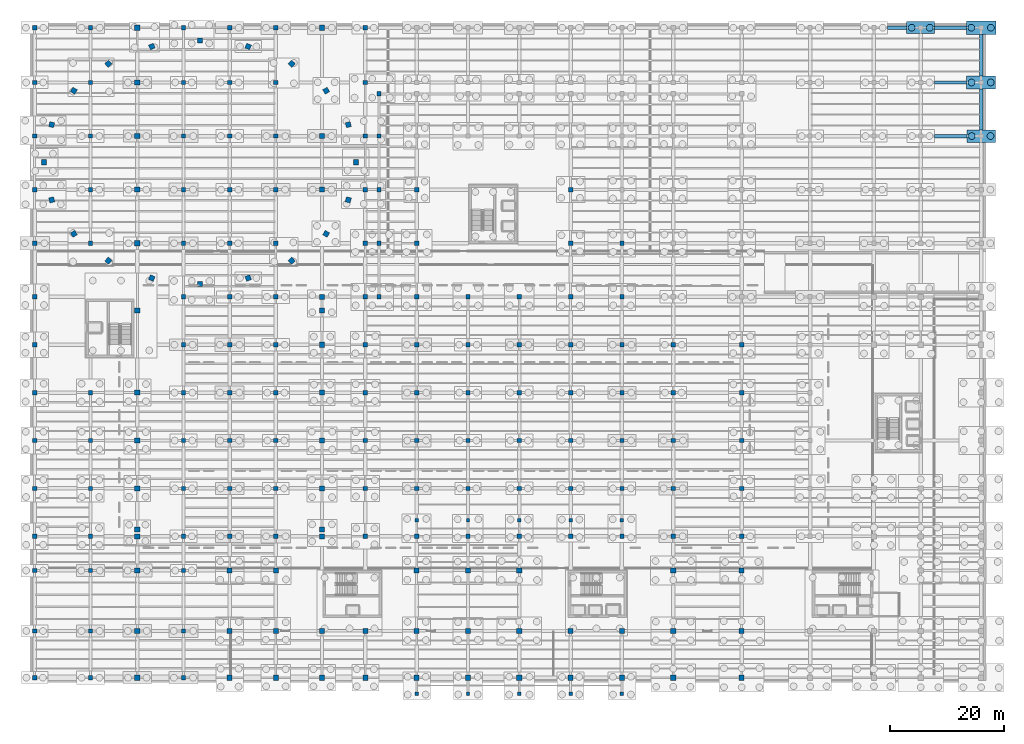
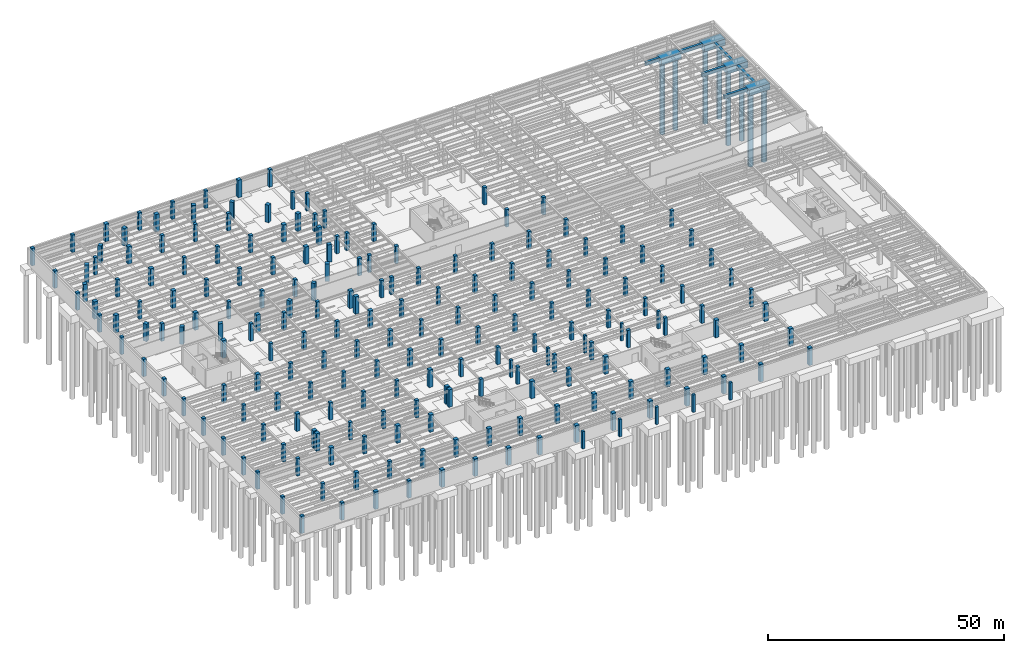
# One storey, part 17 of 49: 207 columns, 10 footings, 8 piles.
"""IFC4 building model written with IfcOpenShell, lengths in metres."""

from ifc_helpers import new_model, si_unit, direction, frame, origin, origin_2d, place, context, subcontext, project, spatial, rectangle, circle, extrude, material, material_profile, profile_set, type_object, element, save


model = new_model("IFC4")

# Units and contexts
model_context = context("Model", 3, precision=1e-05, world=origin(), true_north=direction((0.0, 1.0)))
body_context = subcontext(model_context, "Body", "Model", "MODEL_VIEW")
ifc_project = project(units=[si_unit("LENGTHUNIT", "METRE"), si_unit("AREAUNIT", "SQUARE_METRE"), si_unit("VOLUMEUNIT", "CUBIC_METRE"), si_unit("PLANEANGLEUNIT", "RADIAN"), si_unit("MASSUNIT", "GRAM", prefix="KILO")], contexts=[model_context])

# Site, building, storey
site_placement = place(None, origin())
site = spatial("IfcSite", under=ifc_project, at=site_placement, CompositionType="ELEMENT")
building_placement = place(site_placement, origin())
building = spatial("IfcBuilding", under=site, at=building_placement, Name="Sollismere Congress Hotel", CompositionType="ELEMENT")
storey_placement = place(building_placement, frame((0.0, 0.0, -4.5)))
storey = spatial("IfcBuildingStorey", under=building, at=storey_placement, Name="B1", CompositionType="ELEMENT", Elevation=-4.5)

# Footings
ifc_material_1 = material(Name="Concrete C40/50", Category="concrete")
footing_type_1 = type_object("IfcFootingType", Name="FT-GB600", PredefinedType="FOOTING_BEAM", material=ifc_material_1)
footing_1_placement = place(storey_placement, frame((160.639892578125, 95.0, -0.89990234375), z_axis=(0.0, 0.0, 1.0), x_axis=(1.0, 0.0, 0.0)))
element("IfcFooting", 1, at=footing_1_placement, inside=storey, type_object=footing_type_1, Name="FTG-GB-180", PredefinedType="FOOTING_BEAM", context=body_context, shape_type="SweptSolid", body=[
    extrude(rectangle(XDim=5.699951171875, YDim=0.60009765625, at=origin_2d()), origin(), (0.0, 0.0, 1.0), 0.89990234375),
])
footing_2_placement = place(storey_placement, frame((160.639892578125, 104.39990234375, -0.89990234375), z_axis=(0.0, 0.0, 1.0), x_axis=(1.0, 0.0, 0.0)))
element("IfcFooting", 2, at=footing_2_placement, inside=storey, type_object=footing_type_1, Name="FTG-GB-198", PredefinedType="FOOTING_BEAM", context=body_context, shape_type="SweptSolid", body=[
    extrude(rectangle(XDim=5.639892578125, YDim=0.60009765625, at=origin_2d()), origin(), (0.0, 0.0, 1.0), 0.89990234375),
])
footing_3_placement = place(storey_placement, frame((151.27001953125, 114.0, -0.89990234375), z_axis=(0.0, 0.0, 1.0), x_axis=(1.0, 0.0, 0.0)))
element("IfcFooting", 3, at=footing_3_placement, inside=storey, type_object=footing_type_1, Name="FTG-GB-214", PredefinedType="FOOTING_BEAM", context=body_context, shape_type="SweptSolid", body=[
    extrude(rectangle(XDim=3.360107421875, YDim=0.60009765625, at=origin_2d()), origin(), (0.0, 0.0, 1.0), 0.89990234375),
])
footing_4_placement = place(storey_placement, frame((160.639892578125, 114.0, -0.89990234375), z_axis=(0.0, 0.0, 1.0), x_axis=(1.0, 0.0, 0.0)))
element("IfcFooting", 4, at=footing_4_placement, inside=storey, type_object=footing_type_1, Name="FTG-GB-215", PredefinedType="FOOTING_BEAM", context=body_context, shape_type="SweptSolid", body=[
    extrude(rectangle(XDim=5.580078125, YDim=0.60009765625, at=origin_2d()), origin(), (0.0, 0.0, 1.0), 0.89990234375),
])
footing_5_placement = place(storey_placement, frame((166.0, 99.6875, -0.89990234375), z_axis=(0.0, 0.0, 1.0), x_axis=(0.0, 1.0, 0.0)))
element("IfcFooting", 5, at=footing_5_placement, inside=storey, type_object=footing_type_1, Name="FTG-GB-440", PredefinedType="FOOTING_BEAM", context=body_context, shape_type="SweptSolid", body=[
    extrude(rectangle(XDim=7.175048828125, YDim=0.60009765625, at=origin_2d()), origin(), (0.0, 0.0, 1.0), 0.89990234375),
])
footing_6_placement = place(storey_placement, frame((166.0, 109.1875, -0.89990234375), z_axis=(0.0, 0.0, 1.0), x_axis=(0.0, 1.0, 0.0)))
element("IfcFooting", 6, at=footing_6_placement, inside=storey, type_object=footing_type_1, Name="FTG-GB-441", PredefinedType="FOOTING_BEAM", context=body_context, shape_type="SweptSolid", body=[
    extrude(rectangle(XDim=7.324951171875, YDim=0.60009765625, at=origin_2d()), origin(), (0.0, 0.0, 1.0), 0.89990234375),
])
footing_type_2 = type_object("IfcFootingType", Name="FT-PC2-06", PredefinedType="PILE_CAP", material=ifc_material_1)
footing_7_placement = place(storey_placement, frame((155.39990234375, 114.0, -1.5), z_axis=(0.0, 0.0, 1.0), x_axis=(1.0, 0.0, 0.0)))
element("IfcFooting", 7, at=footing_7_placement, inside=storey, type_object=footing_type_2, Name="Reinforced concrete pile cap PC-226", PredefinedType="PILE_CAP", context=body_context, shape_type="SweptSolid", body=[
    extrude(rectangle(XDim=4.89990234375, YDim=2.10009765625, at=origin_2d()), origin(), (0.0, 0.0, 1.0), 1.5),
])
footing_type_3 = type_object("IfcFootingType", Name="FT-PC2-08", PredefinedType="PILE_CAP", material=ifc_material_1)
footing_8_placement = place(storey_placement, frame((166.0, 95.0, -1.580078125), z_axis=(0.0, 0.0, 1.0), x_axis=(1.0, 0.0, 0.0)))
element("IfcFooting", 8, at=footing_8_placement, inside=storey, type_object=footing_type_3, Name="Reinforced concrete pile cap PC-238", PredefinedType="PILE_CAP", context=body_context, shape_type="SweptSolid", body=[
    extrude(rectangle(XDim=5.02001953125, YDim=2.199951171875, at=origin_2d()), origin(), (0.0, 0.0, 1.0), 1.580078125),
])
footing_type_4 = type_object("IfcFootingType", Name="FT-PC2-09", PredefinedType="PILE_CAP", material=ifc_material_1)
footing_9_placement = place(storey_placement, frame((166.0, 104.39990234375, -1.6201171875), z_axis=(0.0, 0.0, 1.0), x_axis=(1.0, 0.0, 0.0)))
element("IfcFooting", 9, at=footing_9_placement, inside=storey, type_object=footing_type_4, Name="Reinforced concrete pile cap PC-239", PredefinedType="PILE_CAP", context=body_context, shape_type="SweptSolid", body=[
    extrude(rectangle(XDim=5.080078125, YDim=2.25, at=origin_2d()), origin(), (0.0, 0.0, 1.0), 1.6201171875),
])
footing_type_5 = type_object("IfcFootingType", Name="FT-PC2-10", PredefinedType="PILE_CAP", material=ifc_material_1)
footing_10_placement = place(storey_placement, frame((166.0, 114.0, -1.66015625), z_axis=(0.0, 0.0, 1.0), x_axis=(1.0, 0.0, 0.0)))
element("IfcFooting", 10, at=footing_10_placement, inside=storey, type_object=footing_type_5, Name="Reinforced concrete pile cap PC-240", PredefinedType="PILE_CAP", context=body_context, shape_type="SweptSolid", body=[
    extrude(rectangle(XDim=5.139892578125, YDim=2.300048828125, at=origin_2d()), origin(), (0.0, 0.0, 1.0), 1.659912109375),
])

# Piles
ifc_material_profile_1 = material_profile(ifc_material_1, circle(Radius=0.60009765625, at=origin_2d()), Name="CAISSON1200")
ifc_profile_set_1 = profile_set([ifc_material_profile_1], Name="Concrete C40/50")
pile_type = type_object("IfcPileType", Name="PL-CS1200", PredefinedType="BORED", material=ifc_profile_set_1)
for number, where, z_axis, x_axis, name in (
    (11, (153.81005859375, 114.0, -1.39990234375), (0.0, 0.0, -1.0), (1.0, 0.0, 0.0), "Bored rock-socketed caisson PL-733"),
    (12, (156.989990234375, 114.0, -1.39990234375), (0.0, 0.0, -1.0), (1.0, 0.0, 0.0), "Bored rock-socketed caisson PL-734"),
):
    element("IfcPile", number, at=place(storey_placement, frame(where, z_axis=z_axis, x_axis=x_axis)), inside=storey, type_object=pile_type, Name=name, PredefinedType="BORED", context=body_context, shape_type="SweptSolid", body=[
        extrude(circle(Radius=0.60009765625, at=origin_2d()), origin(), (0.0, 0.0, 1.0), 18.5),
    ])
for number, where, z_axis, x_axis, name in (
    (13, (164.35009765625, 95.0, -1.47998046875), (0.0, 0.0, -1.0), (1.0, 0.0, 0.0), "Bored rock-socketed caisson PL-789"),
    (14, (167.64990234375, 95.0, -1.47998046875), (0.0, 0.0, -1.0), (1.0, 0.0, 0.0), "Bored rock-socketed caisson PL-790"),
):
    element("IfcPile", number, at=place(storey_placement, frame(where, z_axis=z_axis, x_axis=x_axis)), inside=storey, type_object=pile_type, Name=name, PredefinedType="BORED", context=body_context, shape_type="SweptSolid", body=[
        extrude(circle(Radius=0.60009765625, at=origin_2d()), origin(), (0.0, 0.0, 1.0), 18.89990234375),
    ])
for number, where, z_axis, x_axis, name in (
    (15, (164.320068359375, 104.39990234375, -1.52001953125), (0.0, 0.0, -1.0), (1.0, 0.0, 0.0), "Bored rock-socketed caisson PL-791"),
    (16, (167.679931640625, 104.39990234375, -1.52001953125), (0.0, 0.0, -1.0), (1.0, 0.0, 0.0), "Bored rock-socketed caisson PL-792"),
):
    element("IfcPile", number, at=place(storey_placement, frame(where, z_axis=z_axis, x_axis=x_axis)), inside=storey, type_object=pile_type, Name=name, PredefinedType="BORED", context=body_context, shape_type="SweptSolid", body=[
        extrude(circle(Radius=0.60009765625, at=origin_2d()), origin(), (0.0, 0.0, 1.0), 19.10009765625),
    ])
for number, where, z_axis, x_axis, name in (
    (17, (164.2900390625, 114.0, -1.56005859375), (0.0, 0.0, -1.0), (1.0, 0.0, 0.0), "Bored rock-socketed caisson PL-793"),
    (18, (167.7099609375, 114.0, -1.56005859375), (0.0, 0.0, -1.0), (1.0, 0.0, 0.0), "Bored rock-socketed caisson PL-794"),
):
    element("IfcPile", number, at=place(storey_placement, frame(where, z_axis=z_axis, x_axis=x_axis)), inside=storey, type_object=pile_type, Name=name, PredefinedType="BORED", context=body_context, shape_type="SweptSolid", body=[
        extrude(circle(Radius=0.60009765625, at=origin_2d()), origin(), (0.0, 0.0, 1.0), 19.300048828125),
    ])

# Columns
ifc_material_profile_2 = material_profile(ifc_material_1, rectangle(XDim=0.60009765625, YDim=0.60009765625, at=origin_2d()), Name="RC600X600")
ifc_profile_set_2 = profile_set([ifc_material_profile_2], Name="Concrete C40/50")
column_type_1 = type_object("IfcColumnType", Name="COL-RC600E", PredefinedType="COLUMN", material=ifc_profile_set_2)
for number, where, z_axis, x_axis, name in (
    (19, (67.0, -2.800048828125, 0.0), (0.0, 0.0, 1.0), (1.0, 0.0, 0.0), "Column CL-B1-1237"),
    (20, (76.0, -2.800048828125, 0.0), (0.0, 0.0, 1.0), (1.0, 0.0, 0.0), "Column CL-B1-1239"),
    (21, (85.0, -2.800048828125, 0.0), (0.0, 0.0, 1.0), (1.0, 0.0, 0.0), "Column CL-B1-1241"),
    (22, (94.0, -2.800048828125, 0.0), (0.0, 0.0, 1.0), (1.0, 0.0, 0.0), "Column CL-B1-1243"),
    (23, (103.0, -2.800048828125, 0.0), (0.0, 0.0, 1.0), (1.0, 0.0, 0.0), "Column CL-B1-1245"),
):
    element("IfcColumn", number, at=place(storey_placement, frame(where, z_axis=z_axis, x_axis=x_axis)), inside=storey, type_object=column_type_1, Name=name, PredefinedType="COLUMN", context=body_context, shape_type="SweptSolid", body=[
        extrude(rectangle(XDim=0.60009765625, YDim=0.60009765625, at=origin_2d()), origin(), (0.0, 0.0, 1.0), 4.5),
    ])
ifc_material_profile_3 = material_profile(ifc_material_1, rectangle(XDim=0.60009765625, YDim=0.60009765625, at=origin_2d()), Name="RC600X600")
ifc_profile_set_3 = profile_set([ifc_material_profile_3], Name="Concrete C40/50")
column_type_2 = type_object("IfcColumnType", Name="COL-RC600I", PredefinedType="COLUMN", material=ifc_profile_set_3)
for number, where, z_axis, x_axis, name in (
    (24, (67.0, 27.60009765625, 0.0), (0.0, 0.0, 1.0), (1.0, 0.0, 0.0), "Column CL-B1-1227"),
    (25, (76.0, 27.60009765625, 0.0), (0.0, 0.0, 1.0), (1.0, 0.0, 0.0), "Column CL-B1-1229"),
    (26, (85.0, 27.60009765625, 0.0), (0.0, 0.0, 1.0), (1.0, 0.0, 0.0), "Column CL-B1-1231"),
    (27, (94.0, 27.60009765625, 0.0), (0.0, 0.0, 1.0), (1.0, 0.0, 0.0), "Column CL-B1-1233"),
    (28, (103.0, 27.60009765625, 0.0), (0.0, 0.0, 1.0), (1.0, 0.0, 0.0), "Column CL-B1-1235"),
):
    element("IfcColumn", number, at=place(storey_placement, frame(where, z_axis=z_axis, x_axis=x_axis)), inside=storey, type_object=column_type_2, Name=name, PredefinedType="COLUMN", context=body_context, shape_type="SweptSolid", body=[
        extrude(rectangle(XDim=0.60009765625, YDim=0.60009765625, at=origin_2d()), origin(), (0.0, 0.0, 1.0), 4.5),
    ])
ifc_material_2 = material(Name="Concrete C50/60", Category="concrete")
ifc_material_profile_4 = material_profile(ifc_material_2, rectangle(XDim=0.75, YDim=0.75, at=origin_2d()), Name="RC750X750")
ifc_profile_set_4 = profile_set([ifc_material_profile_4], Name="Concrete C50/60")
column_type_3 = type_object("IfcColumnType", Name="COL-RC750E", PredefinedType="COLUMN", material=ifc_profile_set_4)
for number, where, z_axis, x_axis, name in (
    (29, (0.0, 0.0, 0.0), (0.0, 0.0, 1.0), (1.0, 0.0, 0.0), "Column CL-B1-001"),
    (30, (0.0, 8.199951171875, 0.0), (0.0, 0.0, 1.0), (1.0, 0.0, 0.0), "Column CL-B1-002"),
    (31, (0.0, 18.800048828125, 0.0), (0.0, 0.0, 1.0), (1.0, 0.0, 0.0), "Column CL-B1-003"),
    (32, (0.0, 24.800048828125, 0.0), (0.0, 0.0, 1.0), (1.0, 0.0, 0.0), "Column CL-B1-004"),
    (33, (0.0, 33.199951171875, 0.0), (0.0, 0.0, 1.0), (1.0, 0.0, 0.0), "Column CL-B1-009"),
    (34, (0.0, 41.60009765625, 0.0), (0.0, 0.0, 1.0), (1.0, 0.0, 0.0), "Column CL-B1-014"),
    (35, (0.0, 50.0, 0.0), (0.0, 0.0, 1.0), (1.0, 0.0, 0.0), "Column CL-B1-019"),
    (36, (0.0, 58.39990234375, 0.0), (0.0, 0.0, 1.0), (1.0, 0.0, 0.0), "Column CL-B1-024"),
    (37, (0.0, 66.800048828125, 0.0), (0.0, 0.0, 1.0), (1.0, 0.0, 0.0), "Column CL-B1-029"),
    (38, (0.0, 76.199951171875, 0.0), (0.0, 0.0, 1.0), (1.0, 0.0, 0.0), "Column CL-B1-034"),
    (39, (0.0, 85.60009765625, 0.0), (0.0, 0.0, 1.0), (1.0, 0.0, 0.0), "Column CL-B1-035"),
    (40, (0.0, 95.0, 0.0), (0.0, 0.0, 1.0), (1.0, 0.0, 0.0), "Column CL-B1-036"),
    (41, (0.0, 104.39990234375, 0.0), (0.0, 0.0, 1.0), (1.0, 0.0, 0.0), "Column CL-B1-037"),
    (42, (0.0, 114.0, 0.0), (0.0, 0.0, 1.0), (1.0, 0.0, 0.0), "Column CL-B1-038"),
    (43, (9.800048828125, 0.0, 0.0), (0.0, 0.0, 1.0), (0.0, 1.0, 0.0), "Column CL-B1-039"),
    (44, (9.800048828125, 114.0, 0.0), (0.0, 0.0, 1.0), (1.0, 0.0, 0.0), "Column CL-B1-069"),
    (45, (26.10009765625, 0.0, 0.0), (0.0, 0.0, 1.0), (0.0, 1.0, 0.0), "Column CL-B1-101"),
    (46, (26.10009765625, 114.0, 0.0), (0.0, 0.0, 1.0), (1.0, 0.0, 0.0), "Column CL-B1-114"),
    (47, (34.199951171875, 114.0, 0.0), (0.0, 0.0, 1.0), (1.0, 0.0, 0.0), "Column CL-B1-149"),
    (48, (42.300048828125, 114.0, 0.0), (0.0, 0.0, 1.0), (1.0, 0.0, 0.0), "Column CL-B1-184"),
    (49, (58.0, 114.0, 0.0), (0.0, 0.0, 1.0), (1.0, 0.0, 0.0), "Column CL-B1-275"),
):
    element("IfcColumn", number, at=place(storey_placement, frame(where, z_axis=z_axis, x_axis=x_axis)), inside=storey, type_object=column_type_3, Name=name, PredefinedType="COLUMN", context=body_context, shape_type="SweptSolid", body=[
        extrude(rectangle(XDim=0.75, YDim=0.75, at=origin_2d()), origin(), (0.0, 0.0, 1.0), 4.5),
    ])
ifc_material_profile_5 = material_profile(ifc_material_2, rectangle(XDim=0.75, YDim=0.75, at=origin_2d()), Name="RC750X750")
ifc_profile_set_5 = profile_set([ifc_material_profile_5], Name="Concrete C50/60")
column_type_4 = type_object("IfcColumnType", Name="COL-RC750I", PredefinedType="COLUMN", material=ifc_profile_set_5)
for number, where, z_axis, x_axis, name in (
    (50, (9.800048828125, 8.199951171875, 0.0), (0.0, 0.0, 1.0), (1.0, 0.0, 0.0), "Column CL-B1-040"),
    (51, (9.800048828125, 18.800048828125, 0.0), (0.0, 0.0, 1.0), (0.0, 1.0, 0.0), "Column CL-B1-041"),
    (52, (9.800048828125, 24.800048828125, 0.0), (0.0, 0.0, 1.0), (0.0, 1.0, 0.0), "Column CL-B1-042"),
    (53, (9.800048828125, 33.199951171875, 0.0), (0.0, 0.0, 1.0), (1.0, 0.0, 0.0), "Column CL-B1-047"),
    (54, (9.800048828125, 41.60009765625, 0.0), (0.0, 0.0, 1.0), (1.0, 0.0, 0.0), "Column CL-B1-053"),
    (55, (9.800048828125, 50.0, 0.0), (0.0, 0.0, 1.0), (1.0, 0.0, 0.0), "Column CL-B1-059"),
    (56, (9.800048828125, 76.199951171875, 0.0), (0.0, 0.0, 1.0), (1.0, 0.0, 0.0), "Column CL-B1-065"),
    (57, (9.800048828125, 85.60009765625, 0.0), (0.0, 0.0, 1.0), (1.0, 0.0, 0.0), "Column CL-B1-066"),
    (58, (9.800048828125, 95.0, 0.0), (0.0, 0.0, 1.0), (1.0, 0.0, 0.0), "Column CL-B1-067"),
    (59, (9.800048828125, 104.39990234375, 0.0), (0.0, 0.0, 1.0), (1.0, 0.0, 0.0), "Column CL-B1-068"),
    (60, (26.10009765625, 8.199951171875, 0.0), (0.0, 0.0, 1.0), (1.0, 0.0, 0.0), "Column CL-B1-102"),
    (61, (26.10009765625, 18.800048828125, 0.0), (0.0, 0.0, 1.0), (0.0, 1.0, 0.0), "Column CL-B1-103"),
    (62, (26.10009765625, 24.800048828125, 0.0), (0.0, 0.0, 1.0), (0.0, 1.0, 0.0), "Column CL-B1-104"),
    (63, (26.10009765625, 33.199951171875, 0.0), (0.0, 0.0, 1.0), (1.0, 0.0, 0.0), "Column CL-B1-105"),
    (64, (26.10009765625, 41.60009765625, 0.0), (0.0, 0.0, 1.0), (1.0, 0.0, 0.0), "Column CL-B1-106"),
    (65, (26.10009765625, 50.0, 0.0), (0.0, 0.0, 1.0), (1.0, 0.0, 0.0), "Column CL-B1-107"),
    (66, (26.10009765625, 58.39990234375, 0.0), (0.0, 0.0, 1.0), (1.0, 0.0, 0.0), "Column CL-B1-108"),
    (67, (26.10009765625, 66.800048828125, 0.0), (0.0, 0.0, 1.0), (0.0, 1.0, 0.0), "Column CL-B1-109"),
    (68, (26.10009765625, 76.199951171875, 0.0), (0.0, 0.0, 1.0), (1.0, 0.0, 0.0), "Column CL-B1-110"),
    (69, (26.10009765625, 85.60009765625, 0.0), (0.0, 0.0, 1.0), (1.0, 0.0, 0.0), "Column CL-B1-111"),
    (70, (26.10009765625, 95.0, 0.0), (0.0, 0.0, 1.0), (1.0, 0.0, 0.0), "Column CL-B1-112"),
    (71, (26.10009765625, 104.39990234375, 0.0), (0.0, 0.0, 1.0), (1.0, 0.0, 0.0), "Column CL-B1-113"),
    (72, (34.199951171875, 24.800048828125, 0.0), (0.0, 0.0, 1.0), (0.0, 1.0, 0.0), "Column CL-B1-139"),
    (73, (34.199951171875, 33.199951171875, 0.0), (0.0, 0.0, 1.0), (1.0, 0.0, 0.0), "Column CL-B1-140"),
    (74, (34.199951171875, 41.60009765625, 0.0), (0.0, 0.0, 1.0), (1.0, 0.0, 0.0), "Column CL-B1-141"),
    (75, (34.199951171875, 50.0, 0.0), (0.0, 0.0, 1.0), (1.0, 0.0, 0.0), "Column CL-B1-142"),
    (76, (34.199951171875, 58.39990234375, 0.0), (0.0, 0.0, 1.0), (1.0, 0.0, 0.0), "Column CL-B1-143"),
    (77, (34.199951171875, 66.800048828125, 0.0), (0.0, 0.0, 1.0), (0.0, 1.0, 0.0), "Column CL-B1-144"),
    (78, (34.199951171875, 76.199951171875, 0.0), (0.0, 0.0, 1.0), (1.0, 0.0, 0.0), "Column CL-B1-145"),
    (79, (34.199951171875, 85.60009765625, 0.0), (0.0, 0.0, 1.0), (1.0, 0.0, 0.0), "Column CL-B1-146"),
    (80, (34.199951171875, 95.0, 0.0), (0.0, 0.0, 1.0), (1.0, 0.0, 0.0), "Column CL-B1-147"),
    (81, (34.199951171875, 104.39990234375, 0.0), (0.0, 0.0, 1.0), (1.0, 0.0, 0.0), "Column CL-B1-148"),
    (82, (42.300048828125, 24.800048828125, 0.0), (0.0, 0.0, 1.0), (0.0, 1.0, 0.0), "Column CL-B1-174"),
    (83, (42.300048828125, 33.199951171875, 0.0), (0.0, 0.0, 1.0), (1.0, 0.0, 0.0), "Column CL-B1-175"),
    (84, (42.300048828125, 41.60009765625, 0.0), (0.0, 0.0, 1.0), (1.0, 0.0, 0.0), "Column CL-B1-176"),
    (85, (42.300048828125, 50.0, 0.0), (0.0, 0.0, 1.0), (1.0, 0.0, 0.0), "Column CL-B1-177"),
    (86, (42.300048828125, 58.39990234375, 0.0), (0.0, 0.0, 1.0), (1.0, 0.0, 0.0), "Column CL-B1-178"),
    (87, (42.300048828125, 66.800048828125, 0.0), (0.0, 0.0, 1.0), (0.0, 1.0, 0.0), "Column CL-B1-179"),
    (88, (42.300048828125, 76.199951171875, 0.0), (0.0, 0.0, 1.0), (1.0, 0.0, 0.0), "Column CL-B1-180"),
    (89, (42.300048828125, 85.60009765625, 0.0), (0.0, 0.0, 1.0), (1.0, 0.0, 0.0), "Column CL-B1-181"),
    (90, (42.300048828125, 95.0, 0.0), (0.0, 0.0, 1.0), (1.0, 0.0, 0.0), "Column CL-B1-182"),
    (91, (42.300048828125, 104.39990234375, 0.0), (0.0, 0.0, 1.0), (1.0, 0.0, 0.0), "Column CL-B1-183"),
    (92, (58.0, 24.800048828125, 0.0), (0.0, 0.0, 1.0), (0.0, 1.0, 0.0), "Column CL-B1-244"),
    (93, (58.0, 33.199951171875, 0.0), (0.0, 0.0, 1.0), (1.0, 0.0, 0.0), "Column CL-B1-248"),
    (94, (58.0, 41.60009765625, 0.0), (0.0, 0.0, 1.0), (1.0, 0.0, 0.0), "Column CL-B1-252"),
    (95, (58.0, 50.0, 0.0), (0.0, 0.0, 1.0), (1.0, 0.0, 0.0), "Column CL-B1-256"),
    (96, (58.0, 58.39990234375, 0.0), (0.0, 0.0, 1.0), (1.0, 0.0, 0.0), "Column CL-B1-260"),
    (97, (58.0, 66.800048828125, 0.0), (0.0, 0.0, 1.0), (0.0, 1.0, 0.0), "Column CL-B1-264"),
    (98, (58.0, 76.199951171875, 0.0), (0.0, 0.0, 1.0), (1.0, 0.0, 0.0), "Column CL-B1-268"),
    (99, (58.0, 85.60009765625, 0.0), (0.0, 0.0, 1.0), (1.0, 0.0, 0.0), "Column CL-B1-272"),
    (100, (58.0, 95.0, 0.0), (0.0, 0.0, 1.0), (1.0, 0.0, 0.0), "Column CL-B1-273"),
    (101, (58.0, 104.39990234375, 0.0), (0.0, 0.0, 1.0), (1.0, 0.0, 0.0), "Column CL-B1-274"),
    (102, (67.0, 24.800048828125, 0.0), (0.0, 0.0, 1.0), (0.0, 1.0, 0.0), "Column CL-B1-309"),
    (103, (67.0, 33.199951171875, 0.0), (0.0, 0.0, 1.0), (1.0, 0.0, 0.0), "Column CL-B1-310"),
    (104, (67.0, 41.60009765625, 0.0), (0.0, 0.0, 1.0), (1.0, 0.0, 0.0), "Column CL-B1-311"),
    (105, (67.0, 50.0, 0.0), (0.0, 0.0, 1.0), (1.0, 0.0, 0.0), "Column CL-B1-312"),
    (106, (67.0, 58.39990234375, 0.0), (0.0, 0.0, 1.0), (1.0, 0.0, 0.0), "Column CL-B1-313"),
    (107, (67.0, 66.800048828125, 0.0), (0.0, 0.0, 1.0), (0.0, 1.0, 0.0), "Column CL-B1-314"),
    (108, (67.0, 76.199951171875, 0.0), (0.0, 0.0, 1.0), (1.0, 0.0, 0.0), "Column CL-B1-320"),
    (109, (67.0, 85.60009765625, 0.0), (0.0, 0.0, 1.0), (1.0, 0.0, 0.0), "Column CL-B1-326"),
    (110, (76.0, 24.800048828125, 0.0), (0.0, 0.0, 1.0), (0.0, 1.0, 0.0), "Column CL-B1-373"),
    (111, (76.0, 33.199951171875, 0.0), (0.0, 0.0, 1.0), (1.0, 0.0, 0.0), "Column CL-B1-374"),
    (112, (76.0, 41.60009765625, 0.0), (0.0, 0.0, 1.0), (1.0, 0.0, 0.0), "Column CL-B1-375"),
    (113, (76.0, 50.0, 0.0), (0.0, 0.0, 1.0), (1.0, 0.0, 0.0), "Column CL-B1-376"),
    (114, (76.0, 58.39990234375, 0.0), (0.0, 0.0, 1.0), (1.0, 0.0, 0.0), "Column CL-B1-377"),
    (115, (76.0, 66.800048828125, 0.0), (0.0, 0.0, 1.0), (0.0, 1.0, 0.0), "Column CL-B1-378"),
    (116, (85.0, 24.800048828125, 0.0), (0.0, 0.0, 1.0), (0.0, 1.0, 0.0), "Column CL-B1-432"),
    (117, (85.0, 33.199951171875, 0.0), (0.0, 0.0, 1.0), (1.0, 0.0, 0.0), "Column CL-B1-433"),
    (118, (85.0, 41.60009765625, 0.0), (0.0, 0.0, 1.0), (1.0, 0.0, 0.0), "Column CL-B1-434"),
    (119, (85.0, 50.0, 0.0), (0.0, 0.0, 1.0), (1.0, 0.0, 0.0), "Column CL-B1-435"),
    (120, (85.0, 58.39990234375, 0.0), (0.0, 0.0, 1.0), (1.0, 0.0, 0.0), "Column CL-B1-436"),
    (121, (85.0, 66.800048828125, 0.0), (0.0, 0.0, 1.0), (0.0, 1.0, 0.0), "Column CL-B1-437"),
    (122, (94.0, 24.800048828125, 0.0), (0.0, 0.0, 1.0), (0.0, 1.0, 0.0), "Column CL-B1-478"),
    (123, (94.0, 33.199951171875, 0.0), (0.0, 0.0, 1.0), (1.0, 0.0, 0.0), "Column CL-B1-479"),
    (124, (94.0, 41.60009765625, 0.0), (0.0, 0.0, 1.0), (1.0, 0.0, 0.0), "Column CL-B1-480"),
    (125, (94.0, 50.0, 0.0), (0.0, 0.0, 1.0), (1.0, 0.0, 0.0), "Column CL-B1-481"),
    (126, (94.0, 58.39990234375, 0.0), (0.0, 0.0, 1.0), (1.0, 0.0, 0.0), "Column CL-B1-482"),
    (127, (94.0, 66.800048828125, 0.0), (0.0, 0.0, 1.0), (0.0, 1.0, 0.0), "Column CL-B1-483"),
    (128, (94.0, 76.199951171875, 0.0), (0.0, 0.0, 1.0), (1.0, 0.0, 0.0), "Column CL-B1-489"),
    (129, (94.0, 85.60009765625, 0.0), (0.0, 0.0, 1.0), (1.0, 0.0, 0.0), "Column CL-B1-495"),
    (130, (103.0, 24.800048828125, 0.0), (0.0, 0.0, 1.0), (0.0, 1.0, 0.0), "Column CL-B1-536"),
    (131, (103.0, 33.199951171875, 0.0), (0.0, 0.0, 1.0), (1.0, 0.0, 0.0), "Column CL-B1-537"),
    (132, (103.0, 41.60009765625, 0.0), (0.0, 0.0, 1.0), (1.0, 0.0, 0.0), "Column CL-B1-538"),
    (133, (103.0, 50.0, 0.0), (0.0, 0.0, 1.0), (1.0, 0.0, 0.0), "Column CL-B1-539"),
    (134, (103.0, 58.39990234375, 0.0), (0.0, 0.0, 1.0), (1.0, 0.0, 0.0), "Column CL-B1-540"),
    (135, (103.0, 66.800048828125, 0.0), (0.0, 0.0, 1.0), (0.0, 1.0, 0.0), "Column CL-B1-541"),
    (136, (103.0, 76.199951171875, 0.0), (0.0, 0.0, 1.0), (1.0, 0.0, 0.0), "Column CL-B1-547"),
    (137, (112.0, 24.800048828125, 0.0), (0.0, 0.0, 1.0), (0.0, 1.0, 0.0), "Column CL-B1-607"),
    (138, (112.0, 33.199951171875, 0.0), (0.0, 0.0, 1.0), (1.0, 0.0, 0.0), "Column CL-B1-610"),
    (139, (112.0, 41.60009765625, 0.0), (0.0, 0.0, 1.0), (1.0, 0.0, 0.0), "Column CL-B1-613"),
    (140, (112.0, 50.0, 0.0), (0.0, 0.0, 1.0), (1.0, 0.0, 0.0), "Column CL-B1-616"),
    (141, (112.0, 58.39990234375, 0.0), (0.0, 0.0, 1.0), (1.0, 0.0, 0.0), "Column CL-B1-619"),
    (142, (124.0, 24.800048828125, 0.0), (0.0, 0.0, 1.0), (0.0, 1.0, 0.0), "Column CL-B1-685"),
    (143, (124.0, 33.199951171875, 0.0), (0.0, 0.0, 1.0), (1.0, 0.0, 0.0), "Column CL-B1-688"),
    (144, (124.0, 41.60009765625, 0.0), (0.0, 0.0, 1.0), (1.0, 0.0, 0.0), "Column CL-B1-692"),
    (145, (124.0, 50.0, 0.0), (0.0, 0.0, 1.0), (1.0, 0.0, 0.0), "Column CL-B1-696"),
    (146, (124.0, 58.39990234375, 0.0), (0.0, 0.0, 1.0), (1.0, 0.0, 0.0), "Column CL-B1-700"),
    (147, (60.39990234375, 66.800048828125, 0.0), (0.0, 0.0, 1.0), (1.0, 0.0, 0.0), "Column CL-B1-1057"),
    (148, (60.39990234375, 76.199951171875, 0.0), (0.0, 0.0, 1.0), (1.0, 0.0, 0.0), "Column CL-B1-1063"),
    (149, (60.39990234375, 85.60009765625, 0.0), (0.0, 0.0, 1.0), (1.0, 0.0, 0.0), "Column CL-B1-1069"),
    (150, (60.39990234375, 95.0, 0.0), (0.0, 0.0, 1.0), (1.0, 0.0, 0.0), "Column CL-B1-1075"),
    (151, (60.39990234375, 102.39990234375, 0.0), (0.0, 0.0, 1.0), (0.0, 1.0, 0.0), "Column CL-B1-1081"),
):
    element("IfcColumn", number, at=place(storey_placement, frame(where, z_axis=z_axis, x_axis=x_axis)), inside=storey, type_object=column_type_4, Name=name, PredefinedType="COLUMN", context=body_context, shape_type="SweptSolid", body=[
        extrude(rectangle(XDim=0.75, YDim=0.75, at=origin_2d()), origin(), (0.0, 0.0, 1.0), 4.5),
    ])
ifc_material_profile_6 = material_profile(ifc_material_2, rectangle(XDim=0.89990234375, YDim=0.89990234375, at=origin_2d()), Name="RC900X900")
ifc_profile_set_6 = profile_set([ifc_material_profile_6], Name="Concrete C50/60")
column_type_5 = type_object("IfcColumnType", Name="COL-RC900E", PredefinedType="COLUMN", material=ifc_profile_set_6)
for number, where, z_axis, x_axis, name in (
    (152, (18.0, 0.0, 0.0), (0.0, 0.0, 1.0), (0.0, 1.0, 0.0), "Column CL-B1-070"),
    (153, (18.0, 114.0, 0.0), (0.0, 0.0, 1.0), (1.0, 0.0, 0.0), "Column CL-B1-100"),
    (154, (34.199951171875, 0.0, 0.0), (0.0, 0.0, 1.0), (0.0, 1.0, 0.0), "Column CL-B1-115"),
    (155, (42.300048828125, 0.0, 0.0), (0.0, 0.0, 1.0), (0.0, 1.0, 0.0), "Column CL-B1-150"),
    (156, (50.39990234375, 0.0, 0.0), (0.0, 0.0, 1.0), (0.0, 1.0, 0.0), "Column CL-B1-185"),
    (157, (50.39990234375, 114.0, 0.0), (0.0, 0.0, 1.0), (1.0, 0.0, 0.0), "Column CL-B1-227"),
    (158, (58.0, 0.0, 0.0), (0.0, 0.0, 1.0), (0.0, 1.0, 0.0), "Column CL-B1-228"),
    (159, (67.0, 0.0, 0.0), (0.0, 0.0, 1.0), (0.0, 1.0, 0.0), "Column CL-B1-276"),
    (160, (76.0, 0.0, 0.0), (0.0, 0.0, 1.0), (0.0, 1.0, 0.0), "Column CL-B1-340"),
    (161, (85.0, 0.0, 0.0), (0.0, 0.0, 1.0), (0.0, 1.0, 0.0), "Column CL-B1-393"),
    (162, (94.0, 0.0, 0.0), (0.0, 0.0, 1.0), (0.0, 1.0, 0.0), "Column CL-B1-452"),
    (163, (103.0, 0.0, 0.0), (0.0, 0.0, 1.0), (0.0, 1.0, 0.0), "Column CL-B1-510"),
    (164, (112.0, 0.0, 0.0), (0.0, 0.0, 1.0), (0.0, 1.0, 0.0), "Column CL-B1-568"),
    (165, (124.0, 0.0, 0.0), (0.0, 0.0, 1.0), (0.0, 1.0, 0.0), "Column CL-B1-646"),
):
    element("IfcColumn", number, at=place(storey_placement, frame(where, z_axis=z_axis, x_axis=x_axis)), inside=storey, type_object=column_type_5, Name=name, PredefinedType="COLUMN", context=body_context, shape_type="SweptSolid", body=[
        extrude(rectangle(XDim=0.89990234375, YDim=0.89990234375, at=origin_2d()), origin(), (0.0, 0.0, 1.0), 4.5),
    ])
ifc_material_profile_7 = material_profile(ifc_material_2, rectangle(XDim=0.89990234375, YDim=0.89990234375, at=origin_2d()), Name="RC900X900")
ifc_profile_set_7 = profile_set([ifc_material_profile_7], Name="Concrete C50/60")
column_type_6 = type_object("IfcColumnType", Name="COL-RC900I", PredefinedType="COLUMN", material=ifc_profile_set_7)
for number, where, z_axis, x_axis, name in (
    (166, (18.0, 8.199951171875, 0.0), (0.0, 0.0, 1.0), (1.0, 0.0, 0.0), "Column CL-B1-071"),
    (167, (18.0, 18.800048828125, 0.0), (0.0, 0.0, 1.0), (0.0, 1.0, 0.0), "Column CL-B1-072"),
    (168, (18.0, 24.800048828125, 0.0), (0.0, 0.0, 1.0), (0.0, 1.0, 0.0), "Column CL-B1-073"),
    (169, (18.0, 33.199951171875, 0.0), (0.0, 0.0, 1.0), (1.0, 0.0, 0.0), "Column CL-B1-078"),
    (170, (18.0, 41.60009765625, 0.0), (0.0, 0.0, 1.0), (1.0, 0.0, 0.0), "Column CL-B1-084"),
    (171, (18.0, 50.0, 0.0), (0.0, 0.0, 1.0), (1.0, 0.0, 0.0), "Column CL-B1-090"),
    (172, (18.0, 76.199951171875, 0.0), (0.0, 0.0, 1.0), (1.0, 0.0, 0.0), "Column CL-B1-096"),
    (173, (18.0, 85.60009765625, 0.0), (0.0, 0.0, 1.0), (1.0, 0.0, 0.0), "Column CL-B1-097"),
    (174, (18.0, 95.0, 0.0), (0.0, 0.0, 1.0), (1.0, 0.0, 0.0), "Column CL-B1-098"),
    (175, (18.0, 104.39990234375, 0.0), (0.0, 0.0, 1.0), (1.0, 0.0, 0.0), "Column CL-B1-099"),
    (176, (34.199951171875, 8.199951171875, 0.0), (0.0, 0.0, 1.0), (1.0, 0.0, 0.0), "Column CL-B1-123"),
    (177, (34.199951171875, 18.800048828125, 0.0), (0.0, 0.0, 1.0), (0.0, 1.0, 0.0), "Column CL-B1-131"),
    (178, (42.300048828125, 8.199951171875, 0.0), (0.0, 0.0, 1.0), (1.0, 0.0, 0.0), "Column CL-B1-158"),
    (179, (42.300048828125, 18.800048828125, 0.0), (0.0, 0.0, 1.0), (0.0, 1.0, 0.0), "Column CL-B1-166"),
    (180, (50.39990234375, 8.199951171875, 0.0), (0.0, 0.0, 1.0), (1.0, 0.0, 0.0), "Column CL-B1-193"),
    (181, (50.39990234375, 24.800048828125, 0.0), (0.0, 0.0, 1.0), (0.0, 1.0, 0.0), "Column CL-B1-201"),
    (182, (50.39990234375, 33.199951171875, 0.0), (0.0, 0.0, 1.0), (1.0, 0.0, 0.0), "Column CL-B1-205"),
    (183, (50.39990234375, 41.60009765625, 0.0), (0.0, 0.0, 1.0), (1.0, 0.0, 0.0), "Column CL-B1-209"),
    (184, (50.39990234375, 50.0, 0.0), (0.0, 0.0, 1.0), (1.0, 0.0, 0.0), "Column CL-B1-213"),
    (185, (50.39990234375, 58.39990234375, 0.0), (0.0, 0.0, 1.0), (1.0, 0.0, 0.0), "Column CL-B1-217"),
    (186, (50.39990234375, 66.800048828125, 0.0), (0.0, 0.0, 1.0), (0.0, 1.0, 0.0), "Column CL-B1-221"),
    (187, (50.39990234375, 85.60009765625, 0.0), (0.0, 0.0, 1.0), (1.0, 0.0, 0.0), "Column CL-B1-225"),
    (188, (50.39990234375, 95.0, 0.0), (0.0, 0.0, 1.0), (1.0, 0.0, 0.0), "Column CL-B1-226"),
    (189, (58.0, 8.199951171875, 0.0), (0.0, 0.0, 1.0), (1.0, 0.0, 0.0), "Column CL-B1-236"),
    (190, (67.0, 8.199951171875, 0.0), (0.0, 0.0, 1.0), (1.0, 0.0, 0.0), "Column CL-B1-287"),
    (191, (67.0, 18.800048828125, 0.0), (0.0, 0.0, 1.0), (0.0, 1.0, 0.0), "Column CL-B1-298"),
    (192, (76.0, 8.199951171875, 0.0), (0.0, 0.0, 1.0), (1.0, 0.0, 0.0), "Column CL-B1-351"),
    (193, (76.0, 18.800048828125, 0.0), (0.0, 0.0, 1.0), (0.0, 1.0, 0.0), "Column CL-B1-362"),
    (194, (85.0, 8.199951171875, 0.0), (0.0, 0.0, 1.0), (1.0, 0.0, 0.0), "Column CL-B1-406"),
    (195, (85.0, 18.800048828125, 0.0), (0.0, 0.0, 1.0), (0.0, 1.0, 0.0), "Column CL-B1-419"),
    (196, (94.0, 8.199951171875, 0.0), (0.0, 0.0, 1.0), (1.0, 0.0, 0.0), "Column CL-B1-465"),
    (197, (103.0, 8.199951171875, 0.0), (0.0, 0.0, 1.0), (1.0, 0.0, 0.0), "Column CL-B1-523"),
    (198, (112.0, 8.199951171875, 0.0), (0.0, 0.0, 1.0), (1.0, 0.0, 0.0), "Column CL-B1-581"),
    (199, (112.0, 18.800048828125, 0.0), (0.0, 0.0, 1.0), (0.0, 1.0, 0.0), "Column CL-B1-594"),
    (200, (124.0, 8.199951171875, 0.0), (0.0, 0.0, 1.0), (1.0, 0.0, 0.0), "Column CL-B1-659"),
    (201, (124.0, 18.800048828125, 0.0), (0.0, 0.0, 1.0), (0.0, 1.0, 0.0), "Column CL-B1-672"),
    (202, (18.0, 26.0, 0.0), (0.0, 0.0, 1.0), (1.0, 0.0, 0.0), "Column CL-B1-1129"),
    (203, (50.39990234375, 26.0, 0.0), (0.0, 0.0, 1.0), (1.0, 0.0, 0.0), "Column CL-B1-1134"),
    (204, (18.0, 64.39990234375, 0.0), (0.0, 0.0, 1.0), (1.0, 0.0, 0.0), "Column CL-B1-1138"),
    (205, (50.39990234375, 64.39990234375, 0.0), (0.0, 0.0, 1.0), (1.0, 0.0, 0.0), "Column CL-B1-1143"),
    (206, (56.35009765625, 90.39990234375, 0.0), (0.0, 0.0, 1.0), (1.0, 0.0, 0.0), "Column CL-B1-1147"),
    (207, (55.011474609375, 96.99755859375, 0.0), (0.0, 0.0, 1.0), (0.969316774365, 0.245814952628, 0.0), "Column CL-B1-1151"),
    (208, (51.126708984375, 102.94921875, 0.0), (0.0, 0.0, 1.0), (0.869839554062, 0.493334724289, 0.0), "Column CL-B1-1155"),
    (209, (45.075927734375, 107.672607421875, 0.0), (0.0, 0.0, 1.0), (0.681359873953, 0.731948578909, 0.0), "Column CL-B1-1159"),
    (210, (37.45166015625, 110.705078125, 0.0), (0.0, 0.0, 1.0), (0.38429532266, 0.923210217113, 0.0), "Column CL-B1-1163"),
    (211, (29.0, 111.75, 0.0), (0.0, 0.0, 1.0), (0.0, 1.0, 0.0), "Column CL-B1-1167"),
    (212, (20.54833984375, 110.705078125, 0.0), (0.0, 0.0, 1.0), (-0.38429532266, 0.923210217113, 0.0), "Column CL-B1-1171"),
    (213, (12.924072265625, 107.672607421875, 0.0), (0.0, 0.0, 1.0), (-0.681359873953, 0.731948578909, 0.0), "Column CL-B1-1175"),
    (214, (6.873291015625, 102.94921875, 0.0), (0.0, 0.0, 1.0), (-0.869839554062, 0.493334724289, 0.0), "Column CL-B1-1179"),
    (215, (2.988525390625, 96.99755859375, 0.0), (0.0, 0.0, 1.0), (-0.969316774365, 0.245814952628, 0.0), "Column CL-B1-1183"),
    (216, (1.64990234375, 90.39990234375, 0.0), (0.0, 0.0, 1.0), (-1.0, 0.0, 0.0), "Column CL-B1-1187"),
    (217, (2.988525390625, 83.802490234375, 0.0), (0.0, 0.0, 1.0), (-0.969316774365, -0.245814952628, 0.0), "Column CL-B1-1191"),
    (218, (6.873291015625, 77.850830078125, 0.0), (0.0, 0.0, 1.0), (-0.869839554062, -0.493334724289, 0.0), "Column CL-B1-1195"),
    (219, (12.924072265625, 73.12744140625, 0.0), (0.0, 0.0, 1.0), (-0.681359873953, -0.731948578909, 0.0), "Column CL-B1-1199"),
    (220, (20.54833984375, 70.094970703125, 0.0), (0.0, 0.0, 1.0), (-0.38429532266, -0.923210217113, 0.0), "Column CL-B1-1203"),
    (221, (29.0, 69.050048828125, 0.0), (0.0, 0.0, 1.0), (0.0, -1.0, 0.0), "Column CL-B1-1207"),
    (222, (37.45166015625, 70.094970703125, 0.0), (0.0, 0.0, 1.0), (0.38429532266, -0.923210217113, 0.0), "Column CL-B1-1211"),
    (223, (45.075927734375, 73.12744140625, 0.0), (0.0, 0.0, 1.0), (0.681359873953, -0.731948578909, 0.0), "Column CL-B1-1215"),
    (224, (51.126708984375, 77.850830078125, 0.0), (0.0, 0.0, 1.0), (0.869839554062, -0.493334724289, 0.0), "Column CL-B1-1219"),
    (225, (55.011474609375, 83.802490234375, 0.0), (0.0, 0.0, 1.0), (0.969316774365, -0.245814952628, 0.0), "Column CL-B1-1223"),
):
    element("IfcColumn", number, at=place(storey_placement, frame(where, z_axis=z_axis, x_axis=x_axis)), inside=storey, type_object=column_type_6, Name=name, PredefinedType="COLUMN", context=body_context, shape_type="SweptSolid", body=[
        extrude(rectangle(XDim=0.89990234375, YDim=0.89990234375, at=origin_2d()), origin(), (0.0, 0.0, 1.0), 4.5),
    ])

save(model, "model.ifc")
